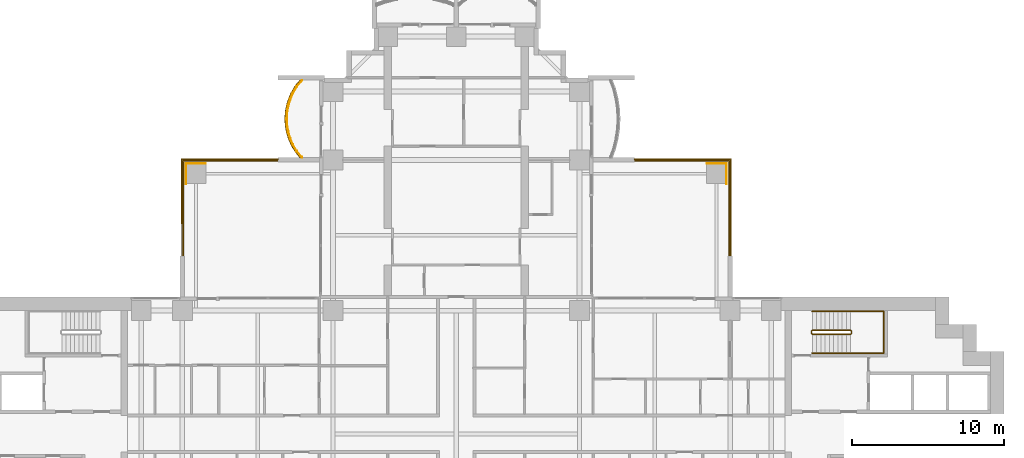
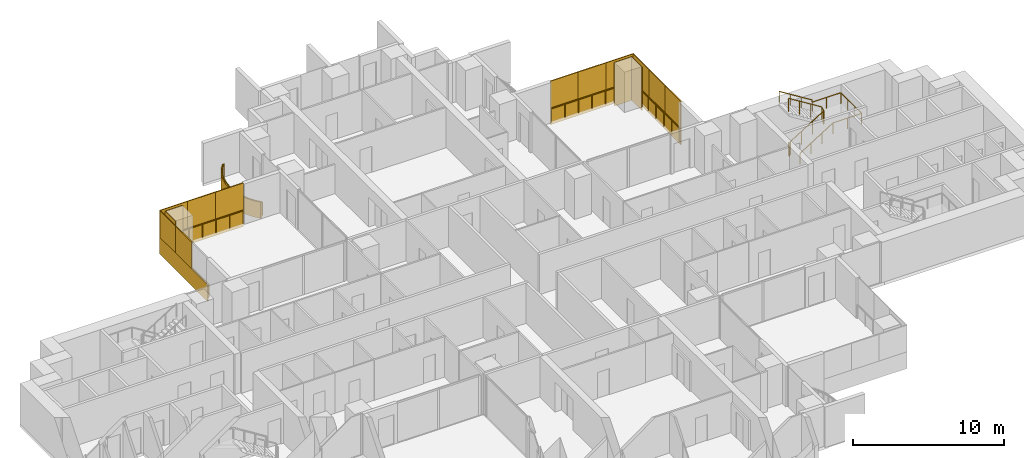
# One storey, part 19 of 20: 18 coverings, 5 railings.
"""IFC4 building model written with IfcOpenShell, lengths in metres."""

from ifc_helpers import new_model, si_unit, direction, frame, origin, origin_2d, place, context, subcontext, project, spatial, polyline, rectangle, outline, extrude, material, layer, layer_set, type_object, element, save


model = new_model("IFC4")

# Units and contexts
model_context = context("Model", 3, precision=1e-05, world=origin(), true_north=direction((0.0, 1.0)))
body_context = subcontext(model_context, "Body", "Model", "MODEL_VIEW")
ifc_project = project(units=[si_unit("LENGTHUNIT", "METRE"), si_unit("AREAUNIT", "SQUARE_METRE"), si_unit("VOLUMEUNIT", "CUBIC_METRE"), si_unit("PLANEANGLEUNIT", "RADIAN"), si_unit("MASSUNIT", "GRAM", prefix="KILO")], contexts=[model_context])

# Site, building, storey
site_placement = place(None, origin())
site = spatial("IfcSite", under=ifc_project, at=site_placement, CompositionType="ELEMENT")
building_placement = place(site_placement, origin())
building = spatial("IfcBuilding", under=site, at=building_placement, Name="Perihelion Cross Residences", CompositionType="ELEMENT")
storey_placement = place(building_placement, frame((0.0, 0.0, 71.5)))
storey = spatial("IfcBuildingStorey", under=building, at=storey_placement, Name="L15", CompositionType="ELEMENT", Elevation=71.5)

# Covering
ifc_material_1 = material(Name="Bronze anodised aluminium", Category="aluminium")
ifc_layer_1 = layer(ifc_material_1, 0.070068359375)
ifc_layer_set_1 = layer_set([ifc_layer_1], Name="Balcony fascia 1300")
covering_type_1 = type_object("IfcCoveringType", Name="Balcony fascia 1300", PredefinedType="CLADDING", material=ifc_layer_set_1)
covering_1_placement = place(storey_placement, frame((0.0, 0.0, -0.199951171875)))
element("IfcCovering", 1, at=covering_1_placement, inside=storey, type_object=covering_type_1, Name="Fascia BF1 L15 north side west bay 1", PredefinedType="CLADDING", context=body_context, shape_type="SweptSolid", body=[
    extrude(outline(polyline([(-10.59765625, 22.86474609375), (-10.85498046875, 22.431884765625), (-11.04248046875, 21.998779296875), (-11.170654296875, 21.56591796875), (-11.245361328125, 21.133056640625), (-11.27001953125, 20.699951171875), (-11.245361328125, 20.26708984375), (-11.170654296875, 19.833984375), (-11.04248046875, 19.401123046875), (-10.85498046875, 18.96826171875), (-10.59765625, 18.53515625), (-10.28955078125, 18.14990234375), (-10.199951171875, 18.14990234375), (-10.5400390625, 18.574951171875), (-10.792724609375, 19.0), (-10.9765625, 19.425048828125), (-11.1025390625, 19.85009765625), (-11.17578125, 20.27490234375), (-11.199951171875, 20.699951171875), (-11.17578125, 21.125), (-11.1025390625, 21.550048828125), (-10.9765625, 21.97509765625), (-10.792724609375, 22.39990234375), (-10.5400390625, 22.824951171875), (-10.199951171875, 23.25), (-10.28955078125, 23.25), (-10.59765625, 22.86474609375)])), origin(), (0.0, 0.0, 1.0), 1.300048828125),
])

# Railings
ifc_material_2 = material(Name="Bronze anodised aluminium", Category="aluminium")
railing_type_1 = type_object("IfcRailingType", Name="Balcony guard 1100", PredefinedType="GUARDRAIL", material=ifc_material_2)
railing_1_placement = place(storey_placement, frame((-10.139892578125, 23.22509765625, 0.0)))
element("IfcRailing", 2, at=railing_1_placement, inside=storey, type_object=railing_type_1, Name="Guard GU1 L15 north side west bay 1 balcony", PredefinedType="GUARDRAIL", context=body_context, shape_type="SweptSolid", body=[
    extrude(rectangle(XDim=0.048095703125, YDim=0.048095703125, at=origin_2d()), frame((0.0, 0.0, 1.076171875), z_axis=(-0.647607934281, -0.761973728849, 0.0), x_axis=(0.761973728849, -0.647607934281, 0.0)), (0.0, 0.0, 1.0), 0.525146484375),
    extrude(rectangle(XDim=0.048095703125, YDim=0.048095703125, at=origin_2d()), frame((-0.340087890625, -0.400146484375, 1.076171875), z_axis=(-0.511006381501, -0.859576918062, 0.0), x_axis=(0.859576918062, -0.511006381501, 0.0)), (0.0, 0.0, 1.0), 0.494384765625),
    extrude(rectangle(XDim=0.048095703125, YDim=0.048095703125, at=origin_2d()), frame((-0.5927734375, -0.8251953125, 1.076171875), z_axis=(-0.397607437634, -0.91755562531, 0.0), x_axis=(0.91755562531, -0.397607437634, 0.0)), (0.0, 0.0, 1.0), 0.462890625),
    extrude(rectangle(XDim=0.048095703125, YDim=0.048095703125, at=origin_2d()), frame((-0.77685546875, -1.25, 1.076171875), z_axis=(-0.283656975924, -0.958925815697, 0.0), x_axis=(0.958925815697, -0.283656975924, 0.0)), (0.0, 0.0, 1.0), 0.443359375),
    extrude(rectangle(XDim=0.048095703125, YDim=0.048095703125, at=origin_2d()), frame((-0.902587890625, -1.675048828125, 1.076171875), z_axis=(-0.17036177859, -0.985381583142, 0.0), x_axis=(0.985381583142, -0.17036177859, 0.0)), (0.0, 0.0, 1.0), 0.431396484375),
    extrude(rectangle(XDim=0.048095703125, YDim=0.048095703125, at=origin_2d()), frame((-0.97607421875, -2.10009765625, 1.076171875), z_axis=(-0.056200523353, -0.9984195016, 0.0), x_axis=(0.9984195016, -0.056200523353, 0.0)), (0.0, 0.0, 1.0), 0.42578125),
    extrude(rectangle(XDim=0.048095703125, YDim=0.048095703125, at=origin_2d()), frame((-1.0, -2.525146484375, 1.076171875), z_axis=(0.056200523353, -0.9984195016, 0.0), x_axis=(0.9984195016, 0.056200523353, 0.0)), (0.0, 0.0, 1.0), 0.42578125),
    extrude(rectangle(XDim=0.048095703125, YDim=0.048095703125, at=origin_2d()), frame((-0.97607421875, -2.9501953125, 1.076171875), z_axis=(0.170456843651, -0.985365142702, 0.0), x_axis=(0.985365142702, 0.170456843651, 0.0)), (0.0, 0.0, 1.0), 0.43115234375),
    extrude(rectangle(XDim=0.048095703125, YDim=0.048095703125, at=origin_2d()), frame((-0.902587890625, -3.375, 1.076171875), z_axis=(0.283656975924, -0.958925815697, 0.0), x_axis=(0.958925815697, 0.283656975924, 0.0)), (0.0, 0.0, 1.0), 0.443359375),
    extrude(rectangle(XDim=0.048095703125, YDim=0.048095703125, at=origin_2d()), frame((-0.77685546875, -3.800048828125, 1.076171875), z_axis=(0.397415137459, -0.917638931453, 0.0), x_axis=(0.917638931453, 0.397415137459, 0.0)), (0.0, 0.0, 1.0), 0.463134765625),
    extrude(rectangle(XDim=0.048095703125, YDim=0.048095703125, at=origin_2d()), frame((-0.5927734375, -4.22509765625, 1.076171875), z_axis=(0.511006381501, -0.859576918062, 0.0), x_axis=(0.859576918062, 0.511006381501, 0.0)), (0.0, 0.0, 1.0), 0.494384765625),
    extrude(rectangle(XDim=0.048095703125, YDim=0.048095703125, at=origin_2d()), frame((-0.340087890625, -4.650146484375, 1.076171875), z_axis=(0.647837396648, -0.761778647315, 0.0), x_axis=(0.761778647315, 0.647837396648, 0.0)), (0.0, 0.0, 1.0), 0.52490234375),
    extrude(rectangle(XDim=0.0419921875, YDim=0.0419921875, at=origin_2d()), origin(), (0.0, 0.0, 1.0), 1.052001953125),
    extrude(rectangle(XDim=0.0419921875, YDim=0.0419921875, at=origin_2d()), frame((-0.340087890625, -0.400146484375, 0.0)), (0.0, 0.0, 1.0), 1.052001953125),
    extrude(rectangle(XDim=0.0419921875, YDim=0.0419921875, at=origin_2d()), frame((-0.5927734375, -0.8251953125, 0.0)), (0.0, 0.0, 1.0), 1.052001953125),
    extrude(rectangle(XDim=0.0419921875, YDim=0.0419921875, at=origin_2d()), frame((-0.77685546875, -1.25, 0.0)), (0.0, 0.0, 1.0), 1.052001953125),
    extrude(rectangle(XDim=0.0419921875, YDim=0.0419921875, at=origin_2d()), frame((-0.902587890625, -1.675048828125, 0.0)), (0.0, 0.0, 1.0), 1.052001953125),
    extrude(rectangle(XDim=0.0419921875, YDim=0.0419921875, at=origin_2d()), frame((-0.97607421875, -2.10009765625, 0.0)), (0.0, 0.0, 1.0), 1.052001953125),
    extrude(rectangle(XDim=0.0419921875, YDim=0.0419921875, at=origin_2d()), frame((-1.0, -2.525146484375, 0.0)), (0.0, 0.0, 1.0), 1.052001953125),
    extrude(rectangle(XDim=0.0419921875, YDim=0.0419921875, at=origin_2d()), frame((-0.97607421875, -2.9501953125, 0.0)), (0.0, 0.0, 1.0), 1.052001953125),
    extrude(rectangle(XDim=0.0419921875, YDim=0.0419921875, at=origin_2d()), frame((-0.902587890625, -3.375, 0.0)), (0.0, 0.0, 1.0), 1.052001953125),
    extrude(rectangle(XDim=0.0419921875, YDim=0.0419921875, at=origin_2d()), frame((-0.77685546875, -3.800048828125, 0.0)), (0.0, 0.0, 1.0), 1.052001953125),
    extrude(rectangle(XDim=0.0419921875, YDim=0.0419921875, at=origin_2d()), frame((-0.5927734375, -4.22509765625, 0.0)), (0.0, 0.0, 1.0), 1.052001953125),
    extrude(rectangle(XDim=0.0419921875, YDim=0.0419921875, at=origin_2d()), frame((-0.340087890625, -4.650146484375, 0.0)), (0.0, 0.0, 1.0), 1.052001953125),
    extrude(rectangle(XDim=0.0419921875, YDim=0.0419921875, at=origin_2d()), frame((0.0, -5.050048828125, 0.0)), (0.0, 0.0, 1.0), 1.052001953125),
])
railing_2_placement = place(storey_placement, frame((11.739990234375, 17.93994140625, 0.0)))
element("IfcRailing", 3, at=railing_2_placement, inside=storey, type_object=railing_type_1, Name="Guard GU1 L15 pocket north-east 1", PredefinedType="GUARDRAIL", context=body_context, shape_type="SweptSolid", body=[
    extrude(rectangle(XDim=0.048095703125, YDim=0.048095703125, at=origin_2d()), frame((0.0, 0.0, 1.076171875), z_axis=(1.0, 0.0, 0.0), x_axis=(0.0, 1.0, 0.0)), (0.0, 0.0, 1.0), 6.199951171875),
    extrude(rectangle(XDim=0.048095703125, YDim=0.048095703125, at=origin_2d()), frame((6.199951171875, 0.0, 1.076171875), z_axis=(0.0, -1.0, 0.0), x_axis=(1.0, 0.0, 0.0)), (0.0, 0.0, 1.0), 6.199951171875),
    extrude(rectangle(XDim=0.0419921875, YDim=0.0419921875, at=origin_2d()), origin(), (0.0, 0.0, 1.0), 1.052001953125),
    extrude(rectangle(XDim=0.0419921875, YDim=0.0419921875, at=origin_2d()), frame((1.033203125, 0.0, 0.0)), (0.0, 0.0, 1.0), 1.052001953125),
    extrude(rectangle(XDim=0.0419921875, YDim=0.0419921875, at=origin_2d()), frame((2.066650390625, 0.0, 0.0)), (0.0, 0.0, 1.0), 1.052001953125),
    extrude(rectangle(XDim=0.0419921875, YDim=0.0419921875, at=origin_2d()), frame((3.10009765625, 0.0, 0.0)), (0.0, 0.0, 1.0), 1.052001953125),
    extrude(rectangle(XDim=0.0419921875, YDim=0.0419921875, at=origin_2d()), frame((4.13330078125, 0.0, 0.0)), (0.0, 0.0, 1.0), 1.052001953125),
    extrude(rectangle(XDim=0.0419921875, YDim=0.0419921875, at=origin_2d()), frame((5.16650390625, 0.0, 0.0)), (0.0, 0.0, 1.0), 1.052001953125),
    extrude(rectangle(XDim=0.0419921875, YDim=0.0419921875, at=origin_2d()), frame((6.199951171875, 0.0, 0.0)), (0.0, 0.0, 1.0), 1.052001953125),
    extrude(rectangle(XDim=0.0419921875, YDim=0.0419921875, at=origin_2d()), frame((6.199951171875, -1.033203125, 0.0)), (0.0, 0.0, 1.0), 1.052001953125),
    extrude(rectangle(XDim=0.0419921875, YDim=0.0419921875, at=origin_2d()), frame((6.199951171875, -2.066650390625, 0.0)), (0.0, 0.0, 1.0), 1.052001953125),
    extrude(rectangle(XDim=0.0419921875, YDim=0.0419921875, at=origin_2d()), frame((6.199951171875, -3.10009765625, 0.0)), (0.0, 0.0, 1.0), 1.052001953125),
    extrude(rectangle(XDim=0.0419921875, YDim=0.0419921875, at=origin_2d()), frame((6.199951171875, -4.13330078125, 0.0)), (0.0, 0.0, 1.0), 1.052001953125),
    extrude(rectangle(XDim=0.0419921875, YDim=0.0419921875, at=origin_2d()), frame((6.199951171875, -5.16650390625, 0.0)), (0.0, 0.0, 1.0), 1.052001953125),
    extrude(rectangle(XDim=0.0419921875, YDim=0.0419921875, at=origin_2d()), frame((6.199951171875, -6.199951171875, 0.0)), (0.0, 0.0, 1.0), 1.052001953125),
])
railing_3_placement = place(storey_placement, frame((-17.93994140625, 11.739990234375, 0.0)))
element("IfcRailing", 4, at=railing_3_placement, inside=storey, type_object=railing_type_1, Name="Guard GU1 L15 pocket north-west 1", PredefinedType="GUARDRAIL", context=body_context, shape_type="SweptSolid", body=[
    extrude(rectangle(XDim=0.048095703125, YDim=0.048095703125, at=origin_2d()), frame((0.0, 0.0, 1.076171875), z_axis=(0.0, 1.0, 0.0), x_axis=(-1.0, 0.0, 0.0)), (0.0, 0.0, 1.0), 6.199951171875),
    extrude(rectangle(XDim=0.048095703125, YDim=0.048095703125, at=origin_2d()), frame((0.0, 6.199951171875, 1.076171875), z_axis=(1.0, 0.0, 0.0), x_axis=(0.0, 1.0, 0.0)), (0.0, 0.0, 1.0), 6.199951171875),
    extrude(rectangle(XDim=0.0419921875, YDim=0.0419921875, at=origin_2d()), origin(), (0.0, 0.0, 1.0), 1.052001953125),
    extrude(rectangle(XDim=0.0419921875, YDim=0.0419921875, at=origin_2d()), frame((0.0, 1.033203125, 0.0)), (0.0, 0.0, 1.0), 1.052001953125),
    extrude(rectangle(XDim=0.0419921875, YDim=0.0419921875, at=origin_2d()), frame((0.0, 2.066650390625, 0.0)), (0.0, 0.0, 1.0), 1.052001953125),
    extrude(rectangle(XDim=0.0419921875, YDim=0.0419921875, at=origin_2d()), frame((0.0, 3.10009765625, 0.0)), (0.0, 0.0, 1.0), 1.052001953125),
    extrude(rectangle(XDim=0.0419921875, YDim=0.0419921875, at=origin_2d()), frame((0.0, 4.13330078125, 0.0)), (0.0, 0.0, 1.0), 1.052001953125),
    extrude(rectangle(XDim=0.0419921875, YDim=0.0419921875, at=origin_2d()), frame((0.0, 5.16650390625, 0.0)), (0.0, 0.0, 1.0), 1.052001953125),
    extrude(rectangle(XDim=0.0419921875, YDim=0.0419921875, at=origin_2d()), frame((0.0, 6.199951171875, 0.0)), (0.0, 0.0, 1.0), 1.052001953125),
    extrude(rectangle(XDim=0.0419921875, YDim=0.0419921875, at=origin_2d()), frame((1.033203125, 6.199951171875, 0.0)), (0.0, 0.0, 1.0), 1.052001953125),
    extrude(rectangle(XDim=0.0419921875, YDim=0.0419921875, at=origin_2d()), frame((2.066650390625, 6.199951171875, 0.0)), (0.0, 0.0, 1.0), 1.052001953125),
    extrude(rectangle(XDim=0.0419921875, YDim=0.0419921875, at=origin_2d()), frame((3.10009765625, 6.199951171875, 0.0)), (0.0, 0.0, 1.0), 1.052001953125),
    extrude(rectangle(XDim=0.0419921875, YDim=0.0419921875, at=origin_2d()), frame((4.13330078125, 6.199951171875, 0.0)), (0.0, 0.0, 1.0), 1.052001953125),
    extrude(rectangle(XDim=0.0419921875, YDim=0.0419921875, at=origin_2d()), frame((5.16650390625, 6.199951171875, 0.0)), (0.0, 0.0, 1.0), 1.052001953125),
    extrude(rectangle(XDim=0.0419921875, YDim=0.0419921875, at=origin_2d()), frame((6.199951171875, 6.199951171875, 0.0)), (0.0, 0.0, 1.0), 1.052001953125),
])

# Coverings
ifc_material_3 = material(Name="Bronze anodised aluminium", Category="aluminium")
ifc_layer_2 = layer(ifc_material_3, 0.0400390625)
ifc_layer_set_2 = layer_set([ifc_layer_2], Name="Bronze column casing 40")
covering_type_2 = type_object("IfcCoveringType", Name="Bronze column casing 40", PredefinedType="CLADDING", material=ifc_layer_set_2)
covering_2_placement = place(storey_placement, frame((-17.77001953125, 17.10009765625, -0.25), z_axis=(0.0, 0.0, 1.0), x_axis=(1.0, 0.0, 0.0)))
element("IfcCovering", 5, at=covering_2_placement, inside=storey, type_object=covering_type_2, Name="Cladding CC1 L15 casing east-west no. 2", PredefinedType="CLADDING", context=body_context, shape_type="SweptSolid", body=[
    extrude(rectangle(XDim=0.0400390625, YDim=1.3798828125, at=origin_2d()), origin(), (0.0, 0.0, 1.0), 3.5),
])
covering_3_placement = place(storey_placement, frame((-17.10009765625, 17.77001953125, -0.25), z_axis=(0.0, 0.0, 1.0), x_axis=(1.0, 0.0, 0.0)))
element("IfcCovering", 6, at=covering_3_placement, inside=storey, type_object=covering_type_2, Name="Cladding CC1 L15 casing north-south no. 2", PredefinedType="CLADDING", context=body_context, shape_type="SweptSolid", body=[
    extrude(rectangle(XDim=1.300048828125, YDim=0.0400390625, at=origin_2d()), origin(), (0.0, 0.0, 1.0), 3.5),
])
covering_4_placement = place(storey_placement, frame((17.77001953125, 17.10009765625, -0.25), z_axis=(0.0, 0.0, 1.0), x_axis=(1.0, 0.0, 0.0)))
element("IfcCovering", 7, at=covering_4_placement, inside=storey, type_object=covering_type_2, Name="Cladding CC1 L15 casing east-west no. 4", PredefinedType="CLADDING", context=body_context, shape_type="SweptSolid", body=[
    extrude(rectangle(XDim=0.0400390625, YDim=1.3798828125, at=origin_2d()), origin(), (0.0, 0.0, 1.0), 3.5),
])
covering_5_placement = place(storey_placement, frame((17.10009765625, 17.77001953125, -0.25), z_axis=(0.0, 0.0, 1.0), x_axis=(1.0, 0.0, 0.0)))
element("IfcCovering", 8, at=covering_5_placement, inside=storey, type_object=covering_type_2, Name="Cladding CC1 L15 casing north-south no. 4", PredefinedType="CLADDING", context=body_context, shape_type="SweptSolid", body=[
    extrude(rectangle(XDim=1.300048828125, YDim=0.0400390625, at=origin_2d()), origin(), (0.0, 0.0, 1.0), 3.5),
])
ifc_material_4 = material(Name="Bronze anodised aluminium", Category="aluminium")
ifc_layer_3 = layer(ifc_material_4, 0.070068359375)
ifc_layer_set_3 = layer_set([ifc_layer_3], Name="Pocket fascia 1350")
covering_type_3 = type_object("IfcCoveringType", Name="Pocket fascia 1350", PredefinedType="CLADDING", material=ifc_layer_set_3)
covering_6_placement = place(storey_placement, frame((0.0, 0.0, -0.25)))
element("IfcCovering", 9, at=covering_6_placement, inside=storey, type_object=covering_type_3, Name="Fascia BF2 L15 pocket north-east 3", PredefinedType="CLADDING", context=body_context, shape_type="SweptSolid", body=[
    extrude(outline(polyline([(18.070068359375, 18.070068359375), (11.699951171875, 18.070068359375), (11.699951171875, 18.0), (18.0, 18.0), (18.0, 11.699951171875), (18.070068359375, 11.699951171875), (18.070068359375, 18.070068359375)])), origin(), (0.0, 0.0, 1.0), 1.35009765625),
])
covering_7_placement = place(storey_placement, frame((0.0, 0.0, -0.25)))
element("IfcCovering", 10, at=covering_7_placement, inside=storey, type_object=covering_type_3, Name="Fascia BF2 L15 pocket north-west 3", PredefinedType="CLADDING", context=body_context, shape_type="SweptSolid", body=[
    extrude(outline(polyline([(-18.070068359375, 18.070068359375), (-18.070068359375, 11.699951171875), (-18.0, 11.699951171875), (-18.0, 18.0), (-11.699951171875, 18.0), (-11.699951171875, 18.070068359375), (-18.070068359375, 18.070068359375)])), origin(), (0.0, 0.0, 1.0), 1.35009765625),
])
ifc_material_5 = material(Name="Bronze perforated aluminium", Category="aluminium")
ifc_layer_4 = layer(ifc_material_5, 0.070068359375)
ifc_layer_set_4 = layer_set([ifc_layer_4], Name="Pocket solar screen, bronze perforated")
covering_type_4 = type_object("IfcCoveringType", Name="Pocket solar screen, bronze perforated", PredefinedType="CLADDING", material=ifc_layer_set_4)
covering_8_placement = place(storey_placement, frame((0.0, 0.0, 1.10009765625)))
element("IfcCovering", 11, at=covering_8_placement, inside=storey, type_object=covering_type_4, Name="Solar screen PS1 L15 pocket north-east no. 1", PredefinedType="CLADDING", context=body_context, shape_type="SweptSolid", body=[
    extrude(outline(polyline([(18.070068359375, 11.699951171875), (18.070068359375, 13.800048828125), (18.0, 13.800048828125), (18.0, 11.699951171875), (18.070068359375, 11.699951171875)])), origin(), (0.0, 0.0, 1.0), 2.14990234375),
])
covering_9_placement = place(storey_placement, frame((0.0, 0.0, 1.10009765625)))
element("IfcCovering", 12, at=covering_9_placement, inside=storey, type_object=covering_type_4, Name="Solar screen PS1 L15 pocket north-east no. 2", PredefinedType="CLADDING", context=body_context, shape_type="SweptSolid", body=[
    extrude(outline(polyline([(18.070068359375, 13.800048828125), (18.070068359375, 15.89990234375), (18.0, 15.89990234375), (18.0, 13.800048828125), (18.070068359375, 13.800048828125)])), origin(), (0.0, 0.0, 1.0), 2.14990234375),
])
covering_10_placement = place(storey_placement, frame((0.0, 0.0, 1.10009765625)))
element("IfcCovering", 13, at=covering_10_placement, inside=storey, type_object=covering_type_4, Name="Solar screen PS1 L15 pocket north-east no. 3", PredefinedType="CLADDING", context=body_context, shape_type="SweptSolid", body=[
    extrude(outline(polyline([(18.070068359375, 15.89990234375), (18.070068359375, 18.0), (18.0, 18.0), (18.0, 15.89990234375), (18.070068359375, 15.89990234375)])), origin(), (0.0, 0.0, 1.0), 2.14990234375),
])
covering_11_placement = place(storey_placement, frame((0.0, 0.0, 1.10009765625)))
element("IfcCovering", 14, at=covering_11_placement, inside=storey, type_object=covering_type_4, Name="Solar screen PS1 L15 pocket north-east no. 4", PredefinedType="CLADDING", context=body_context, shape_type="SweptSolid", body=[
    extrude(outline(polyline([(13.8232421875, 18.0), (13.8232421875, 18.070068359375), (11.699951171875, 18.070068359375), (11.699951171875, 18.0), (13.8232421875, 18.0)])), origin(), (0.0, 0.0, 1.0), 2.14990234375),
])
covering_12_placement = place(storey_placement, frame((0.0, 0.0, 1.10009765625)))
element("IfcCovering", 15, at=covering_12_placement, inside=storey, type_object=covering_type_4, Name="Solar screen PS1 L15 pocket north-east no. 5", PredefinedType="CLADDING", context=body_context, shape_type="SweptSolid", body=[
    extrude(outline(polyline([(15.94677734375, 18.0), (15.94677734375, 18.070068359375), (13.8232421875, 18.070068359375), (13.8232421875, 18.0), (15.94677734375, 18.0)])), origin(), (0.0, 0.0, 1.0), 2.14990234375),
])
covering_13_placement = place(storey_placement, frame((0.0, 0.0, 1.10009765625)))
element("IfcCovering", 16, at=covering_13_placement, inside=storey, type_object=covering_type_4, Name="Solar screen PS1 L15 pocket north-east no. 6", PredefinedType="CLADDING", context=body_context, shape_type="SweptSolid", body=[
    extrude(outline(polyline([(18.070068359375, 18.0), (18.070068359375, 18.070068359375), (15.94677734375, 18.070068359375), (15.94677734375, 18.0), (18.070068359375, 18.0)])), origin(), (0.0, 0.0, 1.0), 2.14990234375),
])
covering_14_placement = place(storey_placement, frame((0.0, 0.0, 1.10009765625)))
element("IfcCovering", 17, at=covering_14_placement, inside=storey, type_object=covering_type_4, Name="Solar screen PS1 L15 pocket north-west no. 2", PredefinedType="CLADDING", context=body_context, shape_type="SweptSolid", body=[
    extrude(outline(polyline([(-18.0, 13.800048828125), (-18.0, 15.89990234375), (-18.070068359375, 15.89990234375), (-18.070068359375, 13.800048828125), (-18.0, 13.800048828125)])), origin(), (0.0, 0.0, 1.0), 2.14990234375),
])
covering_15_placement = place(storey_placement, frame((0.0, 0.0, 1.10009765625)))
element("IfcCovering", 18, at=covering_15_placement, inside=storey, type_object=covering_type_4, Name="Solar screen PS1 L15 pocket north-west no. 3", PredefinedType="CLADDING", context=body_context, shape_type="SweptSolid", body=[
    extrude(outline(polyline([(-18.0, 15.89990234375), (-18.0, 18.0), (-18.070068359375, 18.0), (-18.070068359375, 15.89990234375), (-18.0, 15.89990234375)])), origin(), (0.0, 0.0, 1.0), 2.14990234375),
])
covering_16_placement = place(storey_placement, frame((0.0, 0.0, 1.10009765625)))
element("IfcCovering", 19, at=covering_16_placement, inside=storey, type_object=covering_type_4, Name="Solar screen PS1 L15 pocket north-west no. 4", PredefinedType="CLADDING", context=body_context, shape_type="SweptSolid", body=[
    extrude(outline(polyline([(-15.94677734375, 18.0), (-15.94677734375, 18.070068359375), (-18.070068359375, 18.070068359375), (-18.070068359375, 18.0), (-15.94677734375, 18.0)])), origin(), (0.0, 0.0, 1.0), 2.14990234375),
])
covering_17_placement = place(storey_placement, frame((0.0, 0.0, 1.10009765625)))
element("IfcCovering", 20, at=covering_17_placement, inside=storey, type_object=covering_type_4, Name="Solar screen PS1 L15 pocket north-west no. 5", PredefinedType="CLADDING", context=body_context, shape_type="SweptSolid", body=[
    extrude(outline(polyline([(-13.8232421875, 18.0), (-13.8232421875, 18.070068359375), (-15.94677734375, 18.070068359375), (-15.94677734375, 18.0), (-13.8232421875, 18.0)])), origin(), (0.0, 0.0, 1.0), 2.14990234375),
])
covering_18_placement = place(storey_placement, frame((0.0, 0.0, 1.10009765625)))
element("IfcCovering", 21, at=covering_18_placement, inside=storey, type_object=covering_type_4, Name="Solar screen PS1 L15 pocket north-west no. 6", PredefinedType="CLADDING", context=body_context, shape_type="SweptSolid", body=[
    extrude(outline(polyline([(-11.699951171875, 18.0), (-11.699951171875, 18.070068359375), (-13.8232421875, 18.070068359375), (-13.8232421875, 18.0), (-11.699951171875, 18.0)])), origin(), (0.0, 0.0, 1.0), 2.14990234375),
])

# Railings
ifc_material_6 = material(Name="Stainless steel", Category="steel")
railing_type_2 = type_object("IfcRailingType", Name="Stair guard 1100", PredefinedType="GUARDRAIL", material=ifc_material_6)
railing_4_placement = place(storey_placement, frame((23.35009765625, 6.75, 0.0)))
element("IfcRailing", 22, at=railing_4_placement, inside=storey, type_object=railing_type_2, Name="L15 ST-E1 stair guard 1", PredefinedType="GUARDRAIL", context=body_context, shape_type="SweptSolid", body=[
    extrude(rectangle(XDim=0.048095703125, YDim=0.048095703125, at=origin_2d()), frame((0.0, 0.0, 1.076171875), z_axis=(0.0, -1.0, 0.0), x_axis=(1.0, 0.0, 0.0)), (0.0, 0.0, 1.0), 0.14990234375),
    extrude(rectangle(XDim=0.048095703125, YDim=0.048095703125, at=origin_2d()), frame((0.0, -0.14990234375, 1.076171875), z_axis=(0.263862480399, -0.265155923931, 0.927399011991), x_axis=(0.708833529934, 0.705375805398, 0.0)), (0.0, 0.0, 1.0), 0.188720703125),
    extrude(rectangle(XDim=0.048095703125, YDim=0.048095703125, at=origin_2d()), frame((0.0498046875, -0.199951171875, 1.2509765625), z_axis=(0.848007534815, 0.0, 0.529984170421), x_axis=(0.0, 1.0, 0.0)), (0.0, 0.0, 1.0), 2.9716796875),
    extrude(rectangle(XDim=0.048095703125, YDim=0.048095703125, at=origin_2d()), frame((2.56982421875, -0.199951171875, 2.826171875), z_axis=(0.707106781187, 0.707106781187, 0.0), x_axis=(-0.707106781187, 0.707106781187, 0.0)), (0.0, 0.0, 1.0), 0.07080078125),
    extrude(rectangle(XDim=0.048095703125, YDim=0.048095703125, at=origin_2d()), frame((2.619873046875, -0.14990234375, 2.826171875), z_axis=(0.0, 1.0, 0.0), x_axis=(-1.0, 0.0, 0.0)), (0.0, 0.0, 1.0), 0.14990234375),
    extrude(rectangle(XDim=0.048095703125, YDim=0.048095703125, at=origin_2d()), frame((2.619873046875, 0.0, 2.826171875), z_axis=(-0.265065253269, 0.265065253269, 0.927081885822), x_axis=(-0.707106781187, -0.707106781187, 0.0)), (0.0, 0.0, 1.0), 0.188720703125),
    extrude(rectangle(XDim=0.048095703125, YDim=0.048095703125, at=origin_2d()), frame((2.56982421875, 0.050048828125, 3.0009765625), z_axis=(-0.848007534815, 0.0, 0.529984170421), x_axis=(0.0, -1.0, 0.0)), (0.0, 0.0, 1.0), 2.9716796875),
    extrude(rectangle(XDim=0.0419921875, YDim=0.0419921875, at=origin_2d()), origin(), (0.0, 0.0, 1.0), 1.052001953125),
    extrude(rectangle(XDim=0.0419921875, YDim=0.0419921875, at=origin_2d()), frame((0.0, -0.14990234375, 0.0)), (0.0, 0.0, 1.0), 1.052001953125),
    extrude(rectangle(XDim=0.0419921875, YDim=0.0419921875, at=origin_2d()), frame((0.0498046875, -0.199951171875, 0.175048828125)), (0.0, 0.0, 1.0), 1.052001953125),
    extrude(rectangle(XDim=0.0419921875, YDim=0.0419921875, at=origin_2d()), frame((0.889892578125, -0.199951171875, 0.699951171875)), (0.0, 0.0, 1.0), 1.052001953125),
    extrude(rectangle(XDim=0.0419921875, YDim=0.0419921875, at=origin_2d()), frame((1.729736328125, -0.199951171875, 1.22509765625)), (0.0, 0.0, 1.0), 1.052001953125),
    extrude(rectangle(XDim=0.0419921875, YDim=0.0419921875, at=origin_2d()), frame((2.56982421875, -0.199951171875, 1.75)), (0.0, 0.0, 1.0), 1.052001953125),
    extrude(rectangle(XDim=0.0419921875, YDim=0.0419921875, at=origin_2d()), frame((2.619873046875, -0.14990234375, 1.75)), (0.0, 0.0, 1.0), 1.052001953125),
    extrude(rectangle(XDim=0.0419921875, YDim=0.0419921875, at=origin_2d()), frame((2.619873046875, 0.0, 1.75)), (0.0, 0.0, 1.0), 1.052001953125),
    extrude(rectangle(XDim=0.0419921875, YDim=0.0419921875, at=origin_2d()), frame((2.56982421875, 0.050048828125, 1.925048828125)), (0.0, 0.0, 1.0), 1.052001953125),
    extrude(rectangle(XDim=0.0419921875, YDim=0.0419921875, at=origin_2d()), frame((1.729736328125, 0.050048828125, 2.449951171875)), (0.0, 0.0, 1.0), 1.052001953125),
    extrude(rectangle(XDim=0.0419921875, YDim=0.0419921875, at=origin_2d()), frame((0.889892578125, 0.050048828125, 2.97509765625)), (0.0, 0.0, 1.0), 1.052001953125),
    extrude(rectangle(XDim=0.0419921875, YDim=0.0419921875, at=origin_2d()), frame((0.0498046875, 0.050048828125, 3.5)), (0.0, 0.0, 1.0), 1.052001953125),
])
ifc_material_7 = material(Name="Stainless steel", Category="steel")
railing_type_3 = type_object("IfcRailingType", Name="Stair handrail 900", PredefinedType="HANDRAIL", material=ifc_material_7)
railing_5_placement = place(storey_placement, frame((23.39990234375, 5.300048828125, 0.175048828125)))
element("IfcRailing", 23, at=railing_5_placement, inside=storey, type_object=railing_type_3, Name="L15 ST-E1 stair handrail 1", PredefinedType="HANDRAIL", context=body_context, shape_type="SweptSolid", body=[
    extrude(rectangle(XDim=0.048095703125, YDim=0.048095703125, at=origin_2d()), frame((0.0, 0.0, 0.8759765625), z_axis=(0.848007534815, 0.0, 0.529984170421), x_axis=(0.0, 1.0, 0.0)), (0.0, 0.0, 1.0), 2.9716796875),
    extrude(rectangle(XDim=0.048095703125, YDim=0.048095703125, at=origin_2d()), frame((2.52001953125, 0.0, 2.45068359375), z_axis=(1.0, 0.0, 0.0), x_axis=(0.0, 1.0, 0.0)), (0.0, 0.0, 1.0), 2.18017578125),
    extrude(rectangle(XDim=0.048095703125, YDim=0.048095703125, at=origin_2d()), frame((4.7001953125, 0.0, 2.45068359375), z_axis=(0.0, 1.0, 0.0), x_axis=(-1.0, 0.0, 0.0)), (0.0, 0.0, 1.0), 2.75),
    extrude(rectangle(XDim=0.048095703125, YDim=0.048095703125, at=origin_2d()), frame((4.7001953125, 2.75, 2.45068359375), z_axis=(-1.0, 0.0, 0.0), x_axis=(0.0, -1.0, 0.0)), (0.0, 0.0, 1.0), 2.18017578125),
    extrude(rectangle(XDim=0.048095703125, YDim=0.048095703125, at=origin_2d()), frame((2.52001953125, 2.75, 2.45068359375), z_axis=(0.0, 0.0, 1.0), x_axis=(1.0, 0.0, 0.0)), (0.0, 0.0, 1.0), 0.175048828125),
    extrude(rectangle(XDim=0.048095703125, YDim=0.048095703125, at=origin_2d()), frame((2.52001953125, 2.75, 2.6259765625), z_axis=(-0.848007534815, 0.0, 0.529984170421), x_axis=(0.0, -1.0, 0.0)), (0.0, 0.0, 1.0), 2.9716796875),
    extrude(rectangle(XDim=0.0419921875, YDim=0.0419921875, at=origin_2d()), origin(), (0.0, 0.0, 1.0), 0.851806640625),
    extrude(rectangle(XDim=0.0419921875, YDim=0.0419921875, at=origin_2d()), frame((0.840087890625, 0.0, 0.52490234375)), (0.0, 0.0, 1.0), 0.851806640625),
    extrude(rectangle(XDim=0.0419921875, YDim=0.0419921875, at=origin_2d()), frame((1.679931640625, 0.0, 1.050048828125)), (0.0, 0.0, 1.0), 0.851806640625),
    extrude(rectangle(XDim=0.0419921875, YDim=0.0419921875, at=origin_2d()), frame((2.52001953125, 0.0, 1.574951171875)), (0.0, 0.0, 1.0), 0.851806640625),
    extrude(rectangle(XDim=0.0419921875, YDim=0.0419921875, at=origin_2d()), frame((3.610107421875, 0.0, 1.574951171875)), (0.0, 0.0, 1.0), 0.851806640625),
    extrude(rectangle(XDim=0.0419921875, YDim=0.0419921875, at=origin_2d()), frame((4.7001953125, 0.0, 1.574951171875)), (0.0, 0.0, 1.0), 0.851806640625),
    extrude(rectangle(XDim=0.0419921875, YDim=0.0419921875, at=origin_2d()), frame((4.7001953125, 0.916748046875, 1.574951171875)), (0.0, 0.0, 1.0), 0.851806640625),
    extrude(rectangle(XDim=0.0419921875, YDim=0.0419921875, at=origin_2d()), frame((4.7001953125, 1.833251953125, 1.574951171875)), (0.0, 0.0, 1.0), 0.851806640625),
    extrude(rectangle(XDim=0.0419921875, YDim=0.0419921875, at=origin_2d()), frame((4.7001953125, 2.75, 1.574951171875)), (0.0, 0.0, 1.0), 0.851806640625),
    extrude(rectangle(XDim=0.0419921875, YDim=0.0419921875, at=origin_2d()), frame((3.610107421875, 2.75, 1.574951171875)), (0.0, 0.0, 1.0), 0.851806640625),
    extrude(rectangle(XDim=0.0419921875, YDim=0.0419921875, at=origin_2d()), frame((2.52001953125, 2.75, 1.574951171875)), (0.0, 0.0, 1.0), 0.851806640625),
    extrude(rectangle(XDim=0.0419921875, YDim=0.0419921875, at=origin_2d()), frame((2.52001953125, 2.75, 1.75)), (0.0, 0.0, 1.0), 0.851806640625),
    extrude(rectangle(XDim=0.0419921875, YDim=0.0419921875, at=origin_2d()), frame((1.679931640625, 2.75, 2.27490234375)), (0.0, 0.0, 1.0), 0.851806640625),
    extrude(rectangle(XDim=0.0419921875, YDim=0.0419921875, at=origin_2d()), frame((0.840087890625, 2.75, 2.800048828125)), (0.0, 0.0, 1.0), 0.851806640625),
    extrude(rectangle(XDim=0.0419921875, YDim=0.0419921875, at=origin_2d()), frame((0.0, 2.75, 3.324951171875)), (0.0, 0.0, 1.0), 0.851806640625),
])

save(model, "model.ifc")
